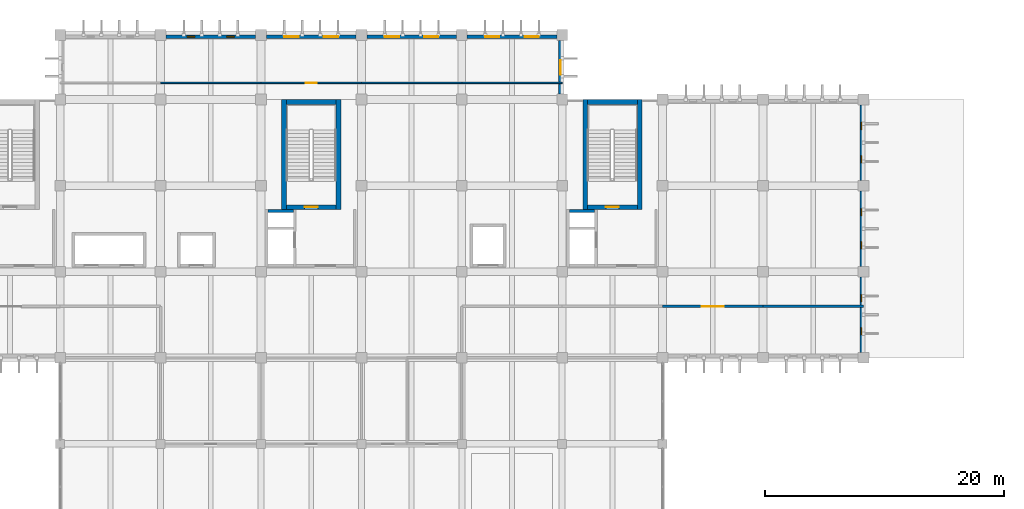
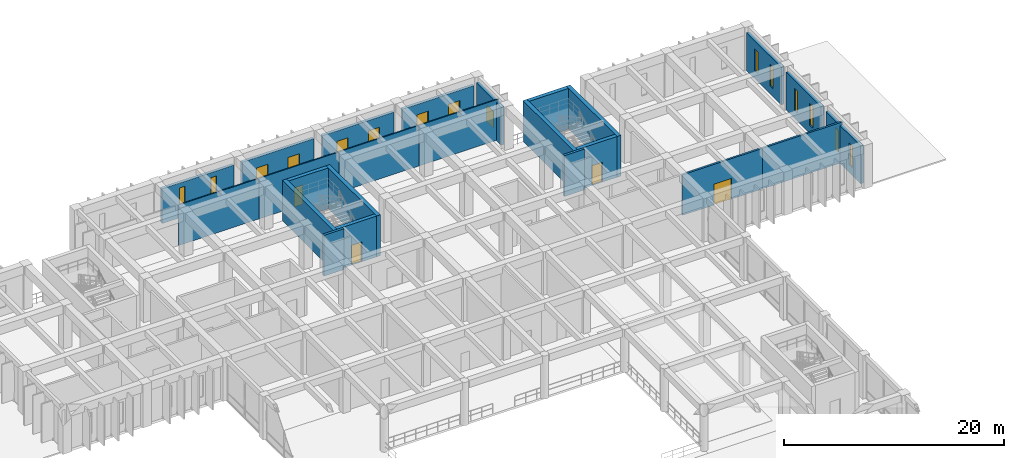
# One storey, part 38 of 52: 24 walls, 15 windows, 4 doors, 19 openings.
"""IFC4 building model written with IfcOpenShell, lengths in metres."""

from ifc_helpers import new_model, si_unit, direction, frame, frame_2d, origin, place, context, subcontext, project, spatial, rectangle, extrude, material, layer, layer_set, type_object, element, fill, save


model = new_model("IFC4")

# Units and contexts
model_context = context("Model", 3, precision=1e-05, world=origin(), true_north=direction((0.0, 1.0)))
body_context = subcontext(model_context, "Body", "Model", "MODEL_VIEW")
ifc_project = project(units=[si_unit("LENGTHUNIT", "METRE"), si_unit("AREAUNIT", "SQUARE_METRE"), si_unit("VOLUMEUNIT", "CUBIC_METRE"), si_unit("PLANEANGLEUNIT", "RADIAN"), si_unit("MASSUNIT", "GRAM", prefix="KILO")], contexts=[model_context])

# Site, building, storey
site_placement = place(None, origin())
site = spatial("IfcSite", under=ifc_project, at=site_placement, CompositionType="ELEMENT")
building_placement = place(site_placement, origin())
building = spatial("IfcBuilding", under=site, at=building_placement, Name="Kenerak Square Central Library", CompositionType="ELEMENT")
storey_placement = place(building_placement, frame((0.0, 0.0, 4.800048828125)))
storey = spatial("IfcBuildingStorey", under=building, at=storey_placement, Name="L01", CompositionType="ELEMENT", Elevation=4.800048828125)

# Wall, openings, windows
ifc_material_1 = material(Name="Concrete C40/50", Category="concrete")
ifc_layer_1 = layer(ifc_material_1, 0.300048828125)
ifc_layer_set_1 = layer_set([ifc_layer_1], Name="Concrete C40/50")
wall_type_1 = type_object("IfcWallType", Name="Board-Marked Brutalist Facade Wall EW-300 C40/50", PredefinedType="SOLIDWALL", material=ifc_layer_set_1)
wall_1_placement = place(storey_placement, frame((75.64990234375, 115.64990234375, 0.0), z_axis=(0.0, 0.0, 1.0), x_axis=(1.0, 0.0, 0.0)))
wall_1 = element("IfcWall", 1, at=wall_1_placement, inside=storey, type_object=wall_type_1, Name="Exterior Facade Wall L01 0117", PredefinedType="SOLIDWALL", context=body_context, shape_type="SweptSolid", body=[
    extrude(rectangle(XDim=7.5, YDim=0.300048828125, at=frame_2d((3.75, 0.0))), origin(), (0.0, 0.0, 1.0), 3.849853515625),
])
opening_1_placement = place(wall_1_placement, frame((1.800048828125, 0.0, 0.89990234375)))
opening_1 = element("IfcOpeningElement", 2, at=opening_1_placement, cuts=wall_1, Name="Opening W-01", PredefinedType="OPENING", context=body_context, shape_type="SweptSolid", body=[
    extrude(rectangle(XDim=0.60009765625, YDim=2.39990234375, at=frame_2d((0.300048828125, 1.199951171875))), frame((0.0, 0.159912109375, 0.0), z_axis=(0.0, -1.0, 0.0), x_axis=(1.0, 0.0, 0.0)), (0.0, 0.0, 1.0), 0.320068359375),
])
opening_2_placement = place(wall_1_placement, frame((5.10009765625, 0.0, 0.89990234375)))
opening_2 = element("IfcOpeningElement", 3, at=opening_2_placement, cuts=wall_1, Name="Opening W-01", PredefinedType="OPENING", context=body_context, shape_type="SweptSolid", body=[
    extrude(rectangle(XDim=0.60009765625, YDim=2.39990234375, at=frame_2d((0.300048828125, 1.199951171875))), frame((0.0, 0.159912109375, 0.0), z_axis=(0.0, -1.0, 0.0), x_axis=(1.0, 0.0, 0.0)), (0.0, 0.0, 1.0), 0.320068359375),
])
ifc_material_2 = material(Name="Solar-control low-E laminated double glazing", Category="glass")
window_type_1 = type_object("IfcWindowType", Name="UV-Filtered Stack Slot Window W-01 600x2400", PartitioningType="SINGLE_PANEL", PredefinedType="WINDOW", material=ifc_material_2)
window_1_placement = place(opening_1_placement, origin())
window_1 = element("IfcWindow", 4, at=window_1_placement, inside=storey, type_object=window_type_1, Name="Window W-01 L01 0095", OverallHeight=2.39990234375, OverallWidth=0.60009765625, PartitioningType="SINGLE_PANEL", PredefinedType="WINDOW", context=body_context, shape_type="SweptSolid", body=[
    extrude(rectangle(XDim=0.60009765625, YDim=2.39990234375, at=frame_2d((0.300048828125, 1.199951171875))), frame((0.0, 0.030029296875, 0.0), z_axis=(0.0, -1.0, 0.0), x_axis=(1.0, 0.0, 0.0)), (0.0, 0.0, 1.0), 0.06005859375),
])
fill(opening_1, window_1)
window_2_placement = place(opening_2_placement, origin())
window_2 = element("IfcWindow", 5, at=window_2_placement, inside=storey, type_object=window_type_1, Name="Window W-01 L01 0096", OverallHeight=2.39990234375, OverallWidth=0.60009765625, PartitioningType="SINGLE_PANEL", PredefinedType="WINDOW", context=body_context, shape_type="SweptSolid", body=[
    extrude(rectangle(XDim=0.60009765625, YDim=2.39990234375, at=frame_2d((0.300048828125, 1.199951171875))), frame((0.0, 0.030029296875, 0.0), z_axis=(0.0, -1.0, 0.0), x_axis=(1.0, 0.0, 0.0)), (0.0, 0.0, 1.0), 0.06005859375),
])
fill(opening_2, window_2)

wall_2_placement = place(storey_placement, frame((84.050048828125, 115.64990234375, 0.0), z_axis=(0.0, 0.0, 1.0), x_axis=(1.0, 0.0, 0.0)))
wall_2 = element("IfcWall", 6, at=wall_2_placement, inside=storey, type_object=wall_type_1, Name="Exterior Facade Wall L01 0118", PredefinedType="SOLIDWALL", context=body_context, shape_type="SweptSolid", body=[
    extrude(rectangle(XDim=7.5, YDim=0.300048828125, at=frame_2d((3.75, 0.0))), origin(), (0.0, 0.0, 1.0), 3.849853515625),
])
opening_3_placement = place(wall_2_placement, frame((1.5, 0.0, 0.89990234375)))
opening_3 = element("IfcOpeningElement", 7, at=opening_3_placement, cuts=wall_2, Name="Opening W-04", PredefinedType="OPENING", context=body_context, shape_type="SweptSolid", body=[
    extrude(rectangle(XDim=1.199951171875, YDim=1.800048828125, at=frame_2d((0.60009765625, 0.89990234375))), frame((0.0, 0.159912109375, 0.0), z_axis=(0.0, -1.0, 0.0), x_axis=(1.0, 0.0, 0.0)), (0.0, 0.0, 1.0), 0.320068359375),
])
opening_4_placement = place(wall_2_placement, frame((4.800048828125, 0.0, 0.89990234375)))
opening_4 = element("IfcOpeningElement", 8, at=opening_4_placement, cuts=wall_2, Name="Opening W-04", PredefinedType="OPENING", context=body_context, shape_type="SweptSolid", body=[
    extrude(rectangle(XDim=1.199951171875, YDim=1.800048828125, at=frame_2d((0.60009765625, 0.89990234375))), frame((0.0, 0.159912109375, 0.0), z_axis=(0.0, -1.0, 0.0), x_axis=(1.0, 0.0, 0.0)), (0.0, 0.0, 1.0), 0.320068359375),
])
window_type_2 = type_object("IfcWindowType", Name="Staff Workroom Window W-04 1200x1800", PartitioningType="SINGLE_PANEL", PredefinedType="WINDOW", material=ifc_material_2)
window_3_placement = place(opening_3_placement, origin())
window_3 = element("IfcWindow", 9, at=window_3_placement, inside=storey, type_object=window_type_2, Name="Window W-04 L01 0097", OverallHeight=1.800048828125, OverallWidth=1.199951171875, PartitioningType="SINGLE_PANEL", PredefinedType="WINDOW", context=body_context, shape_type="SweptSolid", body=[
    extrude(rectangle(XDim=1.199951171875, YDim=1.800048828125, at=frame_2d((0.60009765625, 0.89990234375))), frame((0.0, 0.030029296875, 0.0), z_axis=(0.0, -1.0, 0.0), x_axis=(1.0, 0.0, 0.0)), (0.0, 0.0, 1.0), 0.06005859375),
])
fill(opening_3, window_3)
window_4_placement = place(opening_4_placement, origin())
window_4 = element("IfcWindow", 10, at=window_4_placement, inside=storey, type_object=window_type_2, Name="Window W-04 L01 0098", OverallHeight=1.800048828125, OverallWidth=1.199951171875, PartitioningType="SINGLE_PANEL", PredefinedType="WINDOW", context=body_context, shape_type="SweptSolid", body=[
    extrude(rectangle(XDim=1.199951171875, YDim=1.800048828125, at=frame_2d((0.60009765625, 0.89990234375))), frame((0.0, 0.030029296875, 0.0), z_axis=(0.0, -1.0, 0.0), x_axis=(1.0, 0.0, 0.0)), (0.0, 0.0, 1.0), 0.06005859375),
])
fill(opening_4, window_4)

wall_3_placement = place(storey_placement, frame((92.449951171875, 115.64990234375, 0.0), z_axis=(0.0, 0.0, 1.0), x_axis=(1.0, 0.0, 0.0)))
wall_3 = element("IfcWall", 11, at=wall_3_placement, inside=storey, type_object=wall_type_1, Name="Exterior Facade Wall L01 0119", PredefinedType="SOLIDWALL", context=body_context, shape_type="SweptSolid", body=[
    extrude(rectangle(XDim=7.5, YDim=0.300048828125, at=frame_2d((3.75, 0.0))), origin(), (0.0, 0.0, 1.0), 3.849853515625),
])
opening_5_placement = place(wall_3_placement, frame((1.5, 0.0, 0.89990234375)))
opening_5 = element("IfcOpeningElement", 12, at=opening_5_placement, cuts=wall_3, Name="Opening W-04", PredefinedType="OPENING", context=body_context, shape_type="SweptSolid", body=[
    extrude(rectangle(XDim=1.199951171875, YDim=1.800048828125, at=frame_2d((0.60009765625, 0.89990234375))), frame((0.0, 0.159912109375, 0.0), z_axis=(0.0, -1.0, 0.0), x_axis=(1.0, 0.0, 0.0)), (0.0, 0.0, 1.0), 0.320068359375),
])
opening_6_placement = place(wall_3_placement, frame((4.800048828125, 0.0, 0.89990234375)))
opening_6 = element("IfcOpeningElement", 13, at=opening_6_placement, cuts=wall_3, Name="Opening W-04", PredefinedType="OPENING", context=body_context, shape_type="SweptSolid", body=[
    extrude(rectangle(XDim=1.199951171875, YDim=1.800048828125, at=frame_2d((0.60009765625, 0.89990234375))), frame((0.0, 0.159912109375, 0.0), z_axis=(0.0, -1.0, 0.0), x_axis=(1.0, 0.0, 0.0)), (0.0, 0.0, 1.0), 0.320068359375),
])
window_5_placement = place(opening_5_placement, origin())
window_5 = element("IfcWindow", 14, at=window_5_placement, inside=storey, type_object=window_type_2, Name="Window W-04 L01 0099", OverallHeight=1.800048828125, OverallWidth=1.199951171875, PartitioningType="SINGLE_PANEL", PredefinedType="WINDOW", context=body_context, shape_type="SweptSolid", body=[
    extrude(rectangle(XDim=1.199951171875, YDim=1.800048828125, at=frame_2d((0.60009765625, 0.89990234375))), frame((0.0, 0.030029296875, 0.0), z_axis=(0.0, -1.0, 0.0), x_axis=(1.0, 0.0, 0.0)), (0.0, 0.0, 1.0), 0.06005859375),
])
fill(opening_5, window_5)
window_6_placement = place(opening_6_placement, origin())
window_6 = element("IfcWindow", 15, at=window_6_placement, inside=storey, type_object=window_type_2, Name="Window W-04 L01 0100", OverallHeight=1.800048828125, OverallWidth=1.199951171875, PartitioningType="SINGLE_PANEL", PredefinedType="WINDOW", context=body_context, shape_type="SweptSolid", body=[
    extrude(rectangle(XDim=1.199951171875, YDim=1.800048828125, at=frame_2d((0.60009765625, 0.89990234375))), frame((0.0, 0.030029296875, 0.0), z_axis=(0.0, -1.0, 0.0), x_axis=(1.0, 0.0, 0.0)), (0.0, 0.0, 1.0), 0.06005859375),
])
fill(opening_6, window_6)

wall_4_placement = place(storey_placement, frame((100.85009765625, 115.64990234375, 0.0), z_axis=(0.0, 0.0, 1.0), x_axis=(1.0, 0.0, 0.0)))
wall_4 = element("IfcWall", 16, at=wall_4_placement, inside=storey, type_object=wall_type_1, Name="Exterior Facade Wall L01 0120", PredefinedType="SOLIDWALL", context=body_context, shape_type="SweptSolid", body=[
    extrude(rectangle(XDim=7.5, YDim=0.300048828125, at=frame_2d((3.75, 0.0))), origin(), (0.0, 0.0, 1.0), 3.849853515625),
])
opening_7_placement = place(wall_4_placement, frame((1.5, 0.0, 0.89990234375)))
opening_7 = element("IfcOpeningElement", 17, at=opening_7_placement, cuts=wall_4, Name="Opening W-04", PredefinedType="OPENING", context=body_context, shape_type="SweptSolid", body=[
    extrude(rectangle(XDim=1.199951171875, YDim=1.800048828125, at=frame_2d((0.60009765625, 0.89990234375))), frame((0.0, 0.159912109375, 0.0), z_axis=(0.0, -1.0, 0.0), x_axis=(1.0, 0.0, 0.0)), (0.0, 0.0, 1.0), 0.320068359375),
])
opening_8_placement = place(wall_4_placement, frame((4.800048828125, 0.0, 0.89990234375)))
opening_8 = element("IfcOpeningElement", 18, at=opening_8_placement, cuts=wall_4, Name="Opening W-04", PredefinedType="OPENING", context=body_context, shape_type="SweptSolid", body=[
    extrude(rectangle(XDim=1.199951171875, YDim=1.800048828125, at=frame_2d((0.60009765625, 0.89990234375))), frame((0.0, 0.159912109375, 0.0), z_axis=(0.0, -1.0, 0.0), x_axis=(1.0, 0.0, 0.0)), (0.0, 0.0, 1.0), 0.320068359375),
])
window_7_placement = place(opening_7_placement, origin())
window_7 = element("IfcWindow", 19, at=window_7_placement, inside=storey, type_object=window_type_2, Name="Window W-04 L01 0101", OverallHeight=1.800048828125, OverallWidth=1.199951171875, PartitioningType="SINGLE_PANEL", PredefinedType="WINDOW", context=body_context, shape_type="SweptSolid", body=[
    extrude(rectangle(XDim=1.199951171875, YDim=1.800048828125, at=frame_2d((0.60009765625, 0.89990234375))), frame((0.0, 0.030029296875, 0.0), z_axis=(0.0, -1.0, 0.0), x_axis=(1.0, 0.0, 0.0)), (0.0, 0.0, 1.0), 0.06005859375),
])
fill(opening_7, window_7)
window_8_placement = place(opening_8_placement, origin())
window_8 = element("IfcWindow", 20, at=window_8_placement, inside=storey, type_object=window_type_2, Name="Window W-04 L01 0102", OverallHeight=1.800048828125, OverallWidth=1.199951171875, PartitioningType="SINGLE_PANEL", PredefinedType="WINDOW", context=body_context, shape_type="SweptSolid", body=[
    extrude(rectangle(XDim=1.199951171875, YDim=1.800048828125, at=frame_2d((0.60009765625, 0.89990234375))), frame((0.0, 0.030029296875, 0.0), z_axis=(0.0, -1.0, 0.0), x_axis=(1.0, 0.0, 0.0)), (0.0, 0.0, 1.0), 0.06005859375),
])
fill(opening_8, window_8)

# Wall, opening, window
wall_5_placement = place(storey_placement, frame((108.64990234375, 115.35009765625, 0.0), z_axis=(0.0, 0.0, 1.0), x_axis=(0.0, -1.0, 0.0)))
wall_5 = element("IfcWall", 21, at=wall_5_placement, inside=storey, type_object=wall_type_1, Name="Exterior Facade Wall L01 0121", PredefinedType="SOLIDWALL", context=body_context, shape_type="SweptSolid", body=[
    extrude(rectangle(XDim=4.5, YDim=0.300048828125, at=frame_2d((2.25, 0.0))), origin(), (0.0, 0.0, 1.0), 4.199951171875),
])
opening_9_placement = place(wall_5_placement, frame((1.64990234375, 0.0, 0.89990234375)))
opening_9 = element("IfcOpeningElement", 22, at=opening_9_placement, cuts=wall_5, Name="Opening W-04", PredefinedType="OPENING", context=body_context, shape_type="SweptSolid", body=[
    extrude(rectangle(XDim=1.199951171875, YDim=1.800048828125, at=frame_2d((0.60009765625, 0.89990234375))), frame((0.0, 0.159912109375, 0.0), z_axis=(0.0, -1.0, 0.0), x_axis=(1.0, 0.0, 0.0)), (0.0, 0.0, 1.0), 0.320068359375),
])
window_9_placement = place(opening_9_placement, origin())
window_9 = element("IfcWindow", 23, at=window_9_placement, inside=storey, type_object=window_type_2, Name="Window W-04 L01 0103", OverallHeight=1.800048828125, OverallWidth=1.199951171875, PartitioningType="SINGLE_PANEL", PredefinedType="WINDOW", context=body_context, shape_type="SweptSolid", body=[
    extrude(rectangle(XDim=1.199951171875, YDim=1.800048828125, at=frame_2d((0.60009765625, 0.89990234375))), frame((0.0, 0.030029296875, 0.0), z_axis=(0.0, -1.0, 0.0), x_axis=(1.0, 0.0, 0.0)), (0.0, 0.0, 1.0), 0.06005859375),
])
fill(opening_9, window_9)

# Wall, openings, windows
wall_6_placement = place(storey_placement, frame((133.85009765625, 109.949951171875, 0.0), z_axis=(0.0, 0.0, 1.0), x_axis=(0.0, -1.0, 0.0)))
wall_6 = element("IfcWall", 24, at=wall_6_placement, inside=storey, type_object=wall_type_1, Name="Exterior Facade Wall L01 0124", PredefinedType="SOLIDWALL", context=body_context, shape_type="SweptSolid", body=[
    extrude(rectangle(XDim=6.300048828125, YDim=0.300048828125, at=frame_2d((3.14990234375, 0.0))), origin(), (0.0, 0.0, 1.0), 4.199951171875),
])
opening_10_placement = place(wall_6_placement, frame((1.464111328125, 0.0, 0.89990234375)))
opening_10 = element("IfcOpeningElement", 25, at=opening_10_placement, cuts=wall_6, Name="Opening W-01", PredefinedType="OPENING", context=body_context, shape_type="SweptSolid", body=[
    extrude(rectangle(XDim=0.60009765625, YDim=2.39990234375, at=frame_2d((0.300048828125, 1.199951171875))), frame((0.0, 0.159912109375, 0.0), z_axis=(0.0, -1.0, 0.0), x_axis=(1.0, 0.0, 0.0)), (0.0, 0.0, 1.0), 0.320068359375),
])
opening_11_placement = place(wall_6_placement, frame((4.236083984375, 0.0, 0.89990234375)))
opening_11 = element("IfcOpeningElement", 26, at=opening_11_placement, cuts=wall_6, Name="Opening W-01", PredefinedType="OPENING", context=body_context, shape_type="SweptSolid", body=[
    extrude(rectangle(XDim=0.60009765625, YDim=2.39990234375, at=frame_2d((0.300048828125, 1.199951171875))), frame((0.0, 0.159912109375, 0.0), z_axis=(0.0, -1.0, 0.0), x_axis=(1.0, 0.0, 0.0)), (0.0, 0.0, 1.0), 0.320068359375),
])
window_10_placement = place(opening_10_placement, origin())
window_10 = element("IfcWindow", 27, at=window_10_placement, inside=storey, type_object=window_type_1, Name="Window W-01 L01 0108", OverallHeight=2.39990234375, OverallWidth=0.60009765625, PartitioningType="SINGLE_PANEL", PredefinedType="WINDOW", context=body_context, shape_type="SweptSolid", body=[
    extrude(rectangle(XDim=0.60009765625, YDim=2.39990234375, at=frame_2d((0.300048828125, 1.199951171875))), frame((0.0, 0.030029296875, 0.0), z_axis=(0.0, -1.0, 0.0), x_axis=(1.0, 0.0, 0.0)), (0.0, 0.0, 1.0), 0.06005859375),
])
fill(opening_10, window_10)
window_11_placement = place(opening_11_placement, origin())
window_11 = element("IfcWindow", 28, at=window_11_placement, inside=storey, type_object=window_type_1, Name="Window W-01 L01 0109", OverallHeight=2.39990234375, OverallWidth=0.60009765625, PartitioningType="SINGLE_PANEL", PredefinedType="WINDOW", context=body_context, shape_type="SweptSolid", body=[
    extrude(rectangle(XDim=0.60009765625, YDim=2.39990234375, at=frame_2d((0.300048828125, 1.199951171875))), frame((0.0, 0.030029296875, 0.0), z_axis=(0.0, -1.0, 0.0), x_axis=(1.0, 0.0, 0.0)), (0.0, 0.0, 1.0), 0.06005859375),
])
fill(opening_11, window_11)

wall_7_placement = place(storey_placement, frame((133.85009765625, 102.75, 0.0), z_axis=(0.0, 0.0, 1.0), x_axis=(0.0, -1.0, 0.0)))
wall_7 = element("IfcWall", 29, at=wall_7_placement, inside=storey, type_object=wall_type_1, Name="Exterior Facade Wall L01 0125", PredefinedType="SOLIDWALL", context=body_context, shape_type="SweptSolid", body=[
    extrude(rectangle(XDim=6.300048828125, YDim=0.300048828125, at=frame_2d((3.14990234375, 0.0))), origin(), (0.0, 0.0, 1.0), 4.199951171875),
])
opening_12_placement = place(wall_7_placement, frame((1.464111328125, 0.0, 0.89990234375)))
opening_12 = element("IfcOpeningElement", 30, at=opening_12_placement, cuts=wall_7, Name="Opening W-01", PredefinedType="OPENING", context=body_context, shape_type="SweptSolid", body=[
    extrude(rectangle(XDim=0.60009765625, YDim=2.39990234375, at=frame_2d((0.300048828125, 1.199951171875))), frame((0.0, 0.159912109375, 0.0), z_axis=(0.0, -1.0, 0.0), x_axis=(1.0, 0.0, 0.0)), (0.0, 0.0, 1.0), 0.320068359375),
])
opening_13_placement = place(wall_7_placement, frame((4.236083984375, 0.0, 0.89990234375)))
opening_13 = element("IfcOpeningElement", 31, at=opening_13_placement, cuts=wall_7, Name="Opening W-01", PredefinedType="OPENING", context=body_context, shape_type="SweptSolid", body=[
    extrude(rectangle(XDim=0.60009765625, YDim=2.39990234375, at=frame_2d((0.300048828125, 1.199951171875))), frame((0.0, 0.159912109375, 0.0), z_axis=(0.0, -1.0, 0.0), x_axis=(1.0, 0.0, 0.0)), (0.0, 0.0, 1.0), 0.320068359375),
])
window_12_placement = place(opening_12_placement, origin())
window_12 = element("IfcWindow", 32, at=window_12_placement, inside=storey, type_object=window_type_1, Name="Window W-01 L01 0110", OverallHeight=2.39990234375, OverallWidth=0.60009765625, PartitioningType="SINGLE_PANEL", PredefinedType="WINDOW", context=body_context, shape_type="SweptSolid", body=[
    extrude(rectangle(XDim=0.60009765625, YDim=2.39990234375, at=frame_2d((0.300048828125, 1.199951171875))), frame((0.0, 0.030029296875, 0.0), z_axis=(0.0, -1.0, 0.0), x_axis=(1.0, 0.0, 0.0)), (0.0, 0.0, 1.0), 0.06005859375),
])
fill(opening_12, window_12)
window_13_placement = place(opening_13_placement, origin())
window_13 = element("IfcWindow", 33, at=window_13_placement, inside=storey, type_object=window_type_1, Name="Window W-01 L01 0111", OverallHeight=2.39990234375, OverallWidth=0.60009765625, PartitioningType="SINGLE_PANEL", PredefinedType="WINDOW", context=body_context, shape_type="SweptSolid", body=[
    extrude(rectangle(XDim=0.60009765625, YDim=2.39990234375, at=frame_2d((0.300048828125, 1.199951171875))), frame((0.0, 0.030029296875, 0.0), z_axis=(0.0, -1.0, 0.0), x_axis=(1.0, 0.0, 0.0)), (0.0, 0.0, 1.0), 0.06005859375),
])
fill(opening_13, window_13)

wall_8_placement = place(storey_placement, frame((133.85009765625, 95.550048828125, 0.0), z_axis=(0.0, 0.0, 1.0), x_axis=(0.0, -1.0, 0.0)))
wall_8 = element("IfcWall", 34, at=wall_8_placement, inside=storey, type_object=wall_type_1, Name="Exterior Facade Wall L01 0126", PredefinedType="SOLIDWALL", context=body_context, shape_type="SweptSolid", body=[
    extrude(rectangle(XDim=6.300048828125, YDim=0.300048828125, at=frame_2d((3.14990234375, 0.0))), origin(), (0.0, 0.0, 1.0), 4.199951171875),
])
opening_14_placement = place(wall_8_placement, frame((1.464111328125, 0.0, 0.89990234375)))
opening_14 = element("IfcOpeningElement", 35, at=opening_14_placement, cuts=wall_8, Name="Opening W-01", PredefinedType="OPENING", context=body_context, shape_type="SweptSolid", body=[
    extrude(rectangle(XDim=0.60009765625, YDim=2.39990234375, at=frame_2d((0.300048828125, 1.199951171875))), frame((0.0, 0.159912109375, 0.0), z_axis=(0.0, -1.0, 0.0), x_axis=(1.0, 0.0, 0.0)), (0.0, 0.0, 1.0), 0.320068359375),
])
opening_15_placement = place(wall_8_placement, frame((4.236083984375, 0.0, 0.89990234375)))
opening_15 = element("IfcOpeningElement", 36, at=opening_15_placement, cuts=wall_8, Name="Opening W-01", PredefinedType="OPENING", context=body_context, shape_type="SweptSolid", body=[
    extrude(rectangle(XDim=0.60009765625, YDim=2.39990234375, at=frame_2d((0.300048828125, 1.199951171875))), frame((0.0, 0.159912109375, 0.0), z_axis=(0.0, -1.0, 0.0), x_axis=(1.0, 0.0, 0.0)), (0.0, 0.0, 1.0), 0.320068359375),
])
window_14_placement = place(opening_14_placement, origin())
window_14 = element("IfcWindow", 37, at=window_14_placement, inside=storey, type_object=window_type_1, Name="Window W-01 L01 0112", OverallHeight=2.39990234375, OverallWidth=0.60009765625, PartitioningType="SINGLE_PANEL", PredefinedType="WINDOW", context=body_context, shape_type="SweptSolid", body=[
    extrude(rectangle(XDim=0.60009765625, YDim=2.39990234375, at=frame_2d((0.300048828125, 1.199951171875))), frame((0.0, 0.030029296875, 0.0), z_axis=(0.0, -1.0, 0.0), x_axis=(1.0, 0.0, 0.0)), (0.0, 0.0, 1.0), 0.06005859375),
])
fill(opening_14, window_14)
window_15_placement = place(opening_15_placement, origin())
window_15 = element("IfcWindow", 38, at=window_15_placement, inside=storey, type_object=window_type_1, Name="Window W-01 L01 0113", OverallHeight=2.39990234375, OverallWidth=0.60009765625, PartitioningType="SINGLE_PANEL", PredefinedType="WINDOW", context=body_context, shape_type="SweptSolid", body=[
    extrude(rectangle(XDim=0.60009765625, YDim=2.39990234375, at=frame_2d((0.300048828125, 1.199951171875))), frame((0.0, 0.030029296875, 0.0), z_axis=(0.0, -1.0, 0.0), x_axis=(1.0, 0.0, 0.0)), (0.0, 0.0, 1.0), 0.06005859375),
])
fill(opening_15, window_15)

# Walls
ifc_layer_2 = layer(ifc_material_1, 0.39990234375)
ifc_layer_set_2 = layer_set([ifc_layer_2], Name="Concrete C40/50")
wall_type_2 = type_object("IfcWallType", Name="Core Shear Wall CW-400 C40/50", PredefinedType="SHEAR", material=ifc_layer_set_2)
for number, where, z_axis, x_axis, name in (
    (39, (85.52001953125, 101.199951171875, 0.0), (0.0, 0.0, 1.0), (0.0, 1.0, 0.0), "Core Wall CW-C2 L01 West"),
    (40, (90.080078125, 110.39990234375, 0.0), (0.0, 0.0, 1.0), (0.0, -1.0, 0.0), "Core Wall CW-C2 L01 East"),
):
    element("IfcWall", number, at=place(storey_placement, frame(where, z_axis=z_axis, x_axis=x_axis)), inside=storey, type_object=wall_type_2, Name=name, PredefinedType="SHEAR", context=body_context, shape_type="SweptSolid", body=[
        extrude(rectangle(XDim=9.199951171875, YDim=0.39990234375, at=frame_2d((4.60009765625, 0.0))), origin(), (0.0, 0.0, 1.0), 4.52490234375),
    ])

# Wall, opening, door
wall_9_placement = place(storey_placement, frame((89.8798828125, 101.39990234375, 0.0), z_axis=(0.0, 0.0, 1.0), x_axis=(-1.0, 0.0, 0.0)))
wall_9 = element("IfcWall", 41, at=wall_9_placement, inside=storey, type_object=wall_type_2, Name="Core Wall CW-C2 L01 South", PredefinedType="SHEAR", context=body_context, shape_type="SweptSolid", body=[
    extrude(rectangle(XDim=4.159912109375, YDim=0.39990234375, at=frame_2d((2.080078125, 0.0))), origin(), (0.0, 0.0, 1.0), 4.52490234375),
])
opening_16_placement = place(wall_9_placement, frame((1.530029296875, 0.0, 0.0)))
opening_16 = element("IfcOpeningElement", 42, at=opening_16_placement, cuts=wall_9, Name="Opening D-ST1", PredefinedType="OPENING", context=body_context, shape_type="SweptSolid", body=[
    extrude(rectangle(XDim=1.10009765625, YDim=2.199951171875, at=frame_2d((0.550048828125, 1.10009765625))), frame((0.0, 0.2099609375, 0.0), z_axis=(0.0, -1.0, 0.0), x_axis=(1.0, 0.0, 0.0)), (0.0, 0.0, 1.0), 0.419921875),
])
ifc_material_3 = material(Name="Steel S355", Category="steel")
door_type_1 = type_object("IfcDoorType", Name="Protected Stair Fire Door FD-1100x2200 FD60S", OperationType="NOTDEFINED", PredefinedType="DOOR", material=ifc_material_3)
door_1_placement = place(opening_16_placement, frame((1.10009765625, 0.0, 0.0), z_axis=(0.0, 0.0, 1.0), x_axis=(-1.0, 0.0, 0.0)))
door_1 = element("IfcDoor", 43, at=door_1_placement, inside=storey, type_object=door_type_1, Name="Stair Door ST-02 L01", OperationType="SINGLE_SWING_RIGHT", OverallHeight=2.199951171875, OverallWidth=1.10009765625, PredefinedType="DOOR", context=body_context, shape_type="SweptSolid", body=[
    extrude(rectangle(XDim=1.10009765625, YDim=2.199951171875, at=frame_2d((0.550048828125, 1.10009765625))), frame((0.0, 0.02490234375, 0.0), z_axis=(0.0, -1.0, 0.0), x_axis=(1.0, 0.0, 0.0)), (0.0, 0.0, 1.0), 0.050048828125),
])
fill(opening_16, door_1)

# Walls
wall_10_placement = place(storey_placement, frame((85.719970703125, 110.199951171875, 0.0), z_axis=(0.0, 0.0, 1.0), x_axis=(1.0, 0.0, 0.0)))
element("IfcWall", 44, at=wall_10_placement, inside=storey, type_object=wall_type_2, Name="Core Wall CW-C2 L01 North", PredefinedType="SHEAR", context=body_context, shape_type="SweptSolid", body=[
    extrude(rectangle(XDim=4.159912109375, YDim=0.39990234375, at=frame_2d((2.080078125, 0.0))), origin(), (0.0, 0.0, 1.0), 4.52490234375),
])
for number, where, z_axis, x_axis, name in (
    (45, (110.719970703125, 101.199951171875, 0.0), (0.0, 0.0, 1.0), (0.0, 1.0, 0.0), "Core Wall CW-C3 L01 West"),
    (46, (115.280029296875, 110.39990234375, 0.0), (0.0, 0.0, 1.0), (0.0, -1.0, 0.0), "Core Wall CW-C3 L01 East"),
):
    element("IfcWall", number, at=place(storey_placement, frame(where, z_axis=z_axis, x_axis=x_axis)), inside=storey, type_object=wall_type_2, Name=name, PredefinedType="SHEAR", context=body_context, shape_type="SweptSolid", body=[
        extrude(rectangle(XDim=9.199951171875, YDim=0.39990234375, at=frame_2d((4.60009765625, 0.0))), origin(), (0.0, 0.0, 1.0), 4.52490234375),
    ])

# Wall, opening, door
wall_11_placement = place(storey_placement, frame((115.080078125, 101.39990234375, 0.0), z_axis=(0.0, 0.0, 1.0), x_axis=(-1.0, 0.0, 0.0)))
wall_11 = element("IfcWall", 47, at=wall_11_placement, inside=storey, type_object=wall_type_2, Name="Core Wall CW-C3 L01 South", PredefinedType="SHEAR", context=body_context, shape_type="SweptSolid", body=[
    extrude(rectangle(XDim=4.16015625, YDim=0.39990234375, at=frame_2d((2.080078125, 0.0))), origin(), (0.0, 0.0, 1.0), 4.52490234375),
])
opening_17_placement = place(wall_11_placement, frame((1.530029296875, 0.0, 0.0)))
opening_17 = element("IfcOpeningElement", 48, at=opening_17_placement, cuts=wall_11, Name="Opening D-ST1", PredefinedType="OPENING", context=body_context, shape_type="SweptSolid", body=[
    extrude(rectangle(XDim=1.10009765625, YDim=2.199951171875, at=frame_2d((0.550048828125, 1.10009765625))), frame((0.0, 0.2099609375, 0.0), z_axis=(0.0, -1.0, 0.0), x_axis=(1.0, 0.0, 0.0)), (0.0, 0.0, 1.0), 0.419921875),
])
door_2_placement = place(opening_17_placement, frame((1.10009765625, 0.0, 0.0), z_axis=(0.0, 0.0, 1.0), x_axis=(-1.0, 0.0, 0.0)))
door_2 = element("IfcDoor", 49, at=door_2_placement, inside=storey, type_object=door_type_1, Name="Stair Door ST-03 L01", OperationType="SINGLE_SWING_LEFT", OverallHeight=2.199951171875, OverallWidth=1.10009765625, PredefinedType="DOOR", context=body_context, shape_type="SweptSolid", body=[
    extrude(rectangle(XDim=1.10009765625, YDim=2.199951171875, at=frame_2d((0.550048828125, 1.10009765625))), frame((0.0, 0.02490234375, 0.0), z_axis=(0.0, -1.0, 0.0), x_axis=(1.0, 0.0, 0.0)), (0.0, 0.0, 1.0), 0.050048828125),
])
fill(opening_17, door_2)

# Walls
wall_12_placement = place(storey_placement, frame((110.919921875, 110.199951171875, 0.0), z_axis=(0.0, 0.0, 1.0), x_axis=(1.0, 0.0, 0.0)))
element("IfcWall", 50, at=wall_12_placement, inside=storey, type_object=wall_type_2, Name="Core Wall CW-C3 L01 North", PredefinedType="SHEAR", context=body_context, shape_type="SweptSolid", body=[
    extrude(rectangle(XDim=4.16015625, YDim=0.39990234375, at=frame_2d((2.080078125, 0.0))), origin(), (0.0, 0.0, 1.0), 4.52490234375),
])
ifc_material_4 = material(Name="Acoustic gypsum plasterboard on steel studs", Category="steel")
ifc_layer_3 = layer(ifc_material_4, 0.1201171875)
ifc_layer_set_3 = layer_set([ifc_layer_3], Name="Acoustic gypsum plasterboard on steel studs")
wall_type_3 = type_object("IfcWallType", Name="Lightweight Drywall Partition IW-120", PredefinedType="PARTITIONING", material=ifc_layer_set_3)
wall_13_placement = place(storey_placement, frame((108.800048828125, 111.800048828125, 0.0), z_axis=(0.0, 0.0, 1.0), x_axis=(-1.0, 0.0, 0.0)))
element("IfcWall", 51, at=wall_13_placement, inside=storey, type_object=wall_type_3, Name="Interior Wall IW-L01-12-S1-B1", PredefinedType="PARTITIONING", context=body_context, shape_type="SweptSolid", body=[
    extrude(rectangle(XDim=8.400146484375, YDim=0.1201171875, at=frame_2d((4.2001953125, 0.0))), origin(), (0.0, 0.0, 1.0), 4.5),
])
wall_14_placement = place(storey_placement, frame((100.39990234375, 111.800048828125, 0.0), z_axis=(0.0, 0.0, 1.0), x_axis=(-1.0, 0.0, 0.0)))
element("IfcWall", 52, at=wall_14_placement, inside=storey, type_object=wall_type_3, Name="Interior Wall IW-L01-12-S1-B2", PredefinedType="PARTITIONING", context=body_context, shape_type="SweptSolid", body=[
    extrude(rectangle(XDim=8.39990234375, YDim=0.1201171875, at=frame_2d((4.199951171875, 0.0))), origin(), (0.0, 0.0, 1.0), 4.5),
])

# Wall, opening, door
wall_15_placement = place(storey_placement, frame((92.0, 111.800048828125, 0.0), z_axis=(0.0, 0.0, 1.0), x_axis=(-1.0, 0.0, 0.0)))
wall_15 = element("IfcWall", 53, at=wall_15_placement, inside=storey, type_object=wall_type_3, Name="Interior Wall IW-L01-12-S1-B3", PredefinedType="PARTITIONING", context=body_context, shape_type="SweptSolid", body=[
    extrude(rectangle(XDim=8.39990234375, YDim=0.1201171875, at=frame_2d((4.199951171875, 0.0))), origin(), (0.0, 0.0, 1.0), 4.5),
])
opening_18_placement = place(wall_15_placement, frame((3.72509765625, 0.0, 0.0)))
opening_18 = element("IfcOpeningElement", 54, at=opening_18_placement, cuts=wall_15, Name="Opening ID-02", PredefinedType="OPENING", context=body_context, shape_type="SweptSolid", body=[
    extrude(rectangle(XDim=0.949951171875, YDim=2.14990234375, at=frame_2d((0.47509765625, 1.074951171875))), frame((0.0, 0.070068359375, 0.0), z_axis=(0.0, -1.0, 0.0), x_axis=(1.0, 0.0, 0.0)), (0.0, 0.0, 1.0), 0.14013671875),
])
ifc_material_5 = material(Name="Chengal hardwood timber SG1", Category="wood")
door_type_2 = type_object("IfcDoorType", Name="Study Carrel Timber Door ID-950x2150", OperationType="NOTDEFINED", PredefinedType="DOOR", material=ifc_material_5)
door_3_placement = place(opening_18_placement, origin())
door_3 = element("IfcDoor", 55, at=door_3_placement, inside=storey, type_object=door_type_2, Name="Cataloguing and Bibliographic Services Office Door", OperationType="SINGLE_SWING_RIGHT", OverallHeight=2.14990234375, OverallWidth=0.949951171875, PredefinedType="DOOR", context=body_context, shape_type="SweptSolid", body=[
    extrude(rectangle(XDim=0.949951171875, YDim=2.14990234375, at=frame_2d((0.47509765625, 1.074951171875))), frame((0.0, 0.02490234375, 0.0), z_axis=(0.0, -1.0, 0.0), x_axis=(1.0, 0.0, 0.0)), (0.0, 0.0, 1.0), 0.050048828125),
])
fill(opening_18, door_3)

# Wall
wall_16_placement = place(storey_placement, frame((83.60009765625, 111.800048828125, 0.0), z_axis=(0.0, 0.0, 1.0), x_axis=(-1.0, 0.0, 0.0)))
element("IfcWall", 56, at=wall_16_placement, inside=storey, type_object=wall_type_3, Name="Interior Wall IW-L01-12-S1-B4", PredefinedType="PARTITIONING", context=body_context, shape_type="SweptSolid", body=[
    extrude(rectangle(XDim=8.400146484375, YDim=0.1201171875, at=frame_2d((4.2001953125, 0.0))), origin(), (0.0, 0.0, 1.0), 4.5),
])

# Wall, opening, door
ifc_material_6 = material(Name="Precast concrete C40/50", Category="concrete")
ifc_layer_4 = layer(ifc_material_6, 0.199951171875)
ifc_layer_set_4 = layer_set([ifc_layer_4], Name="Precast concrete C40/50")
wall_type_4 = type_object("IfcWallType", Name="Protected Corridor Fire Wall IW-200 C40/50", PredefinedType="PARTITIONING", material=ifc_layer_set_4)
wall_17_placement = place(storey_placement, frame((117.199951171875, 93.10009765625, 0.0), z_axis=(0.0, 0.0, 1.0), x_axis=(1.0, 0.0, 0.0)))
wall_17 = element("IfcWall", 57, at=wall_17_placement, inside=storey, type_object=wall_type_4, Name="Interior Wall IW-L01-11-N2-B3", PredefinedType="PARTITIONING", context=body_context, shape_type="SweptSolid", body=[
    extrude(rectangle(XDim=8.400146484375, YDim=0.199951171875, at=frame_2d((4.2001953125, 0.0))), origin(), (0.0, 0.0, 1.0), 4.5),
])
opening_19_placement = place(wall_17_placement, frame((3.27490234375, 0.0, 0.0)))
opening_19 = element("IfcOpeningElement", 58, at=opening_19_placement, cuts=wall_17, Name="Opening ID-09", PredefinedType="OPENING", context=body_context, shape_type="SweptSolid", body=[
    extrude(rectangle(XDim=1.85009765625, YDim=2.300048828125, at=frame_2d((0.925048828125, 1.14990234375))), frame((0.0, 0.10986328125, 0.0), z_axis=(0.0, -1.0, 0.0), x_axis=(1.0, 0.0, 0.0)), (0.0, 0.0, 1.0), 0.219970703125),
])
ifc_material_7 = material(Name="Anodised aluminium and laminated glass", Category="aluminium")
door_type_3 = type_object("IfcDoorType", Name="Reading Room Glazed Double Door ID-1850x2300 FD60S", OperationType="NOTDEFINED", PredefinedType="DOOR", material=ifc_material_7)
door_4_placement = place(opening_19_placement, origin())
door_4 = element("IfcDoor", 59, at=door_4_placement, inside=storey, type_object=door_type_3, Name="General Lending Open Book Stacks East Door", OperationType="DOUBLE_DOOR_SINGLE_SWING", OverallHeight=2.300048828125, OverallWidth=1.85009765625, PredefinedType="DOOR", context=body_context, shape_type="SweptSolid", body=[
    extrude(rectangle(XDim=1.85009765625, YDim=2.300048828125, at=frame_2d((0.925048828125, 1.14990234375))), frame((0.0, 0.02490234375, 0.0), z_axis=(0.0, -1.0, 0.0), x_axis=(1.0, 0.0, 0.0)), (0.0, 0.0, 1.0), 0.050048828125),
])
fill(opening_19, door_4)

# Walls
wall_18_placement = place(storey_placement, frame((125.60009765625, 93.10009765625, 0.0), z_axis=(0.0, 0.0, 1.0), x_axis=(1.0, 0.0, 0.0)))
element("IfcWall", 60, at=wall_18_placement, inside=storey, type_object=wall_type_4, Name="Interior Wall IW-L01-11-N2-B4", PredefinedType="PARTITIONING", context=body_context, shape_type="SweptSolid", body=[
    extrude(rectangle(XDim=8.39990234375, YDim=0.199951171875, at=frame_2d((4.199951171875, 0.0))), origin(), (0.0, 0.0, 1.0), 4.5),
])
ifc_layer_5 = layer(ifc_material_1, 0.25)
ifc_layer_set_5 = layer_set([ifc_layer_5], Name="Concrete C40/50")
wall_type_5 = type_object("IfcWallType", Name="Shaft Enclosure Wall SW-250 C40/50", PredefinedType="SOLIDWALL", material=ifc_layer_set_5)
for number, where, z_axis, x_axis, name in (
    (61, (84.199951171875, 101.074951171875, 0.0), (0.0, 0.0, 1.0), (1.0, 0.0, 0.0), "Core Wall FLW-C2 L01 North"),
    (62, (109.39990234375, 101.074951171875, 0.0), (0.0, 0.0, 1.0), (1.0, 0.0, 0.0), "Core Wall FLW-C3 L01 North"),
):
    element("IfcWall", number, at=place(storey_placement, frame(where, z_axis=z_axis, x_axis=x_axis)), inside=storey, type_object=wall_type_5, Name=name, PredefinedType="SOLIDWALL", context=body_context, shape_type="SweptSolid", body=[
        extrude(rectangle(XDim=2.10009765625, YDim=0.25, at=frame_2d((1.050048828125, 0.0))), origin(), (0.0, 0.0, 1.0), 4.52490234375),
    ])

save(model, "model.ifc")
